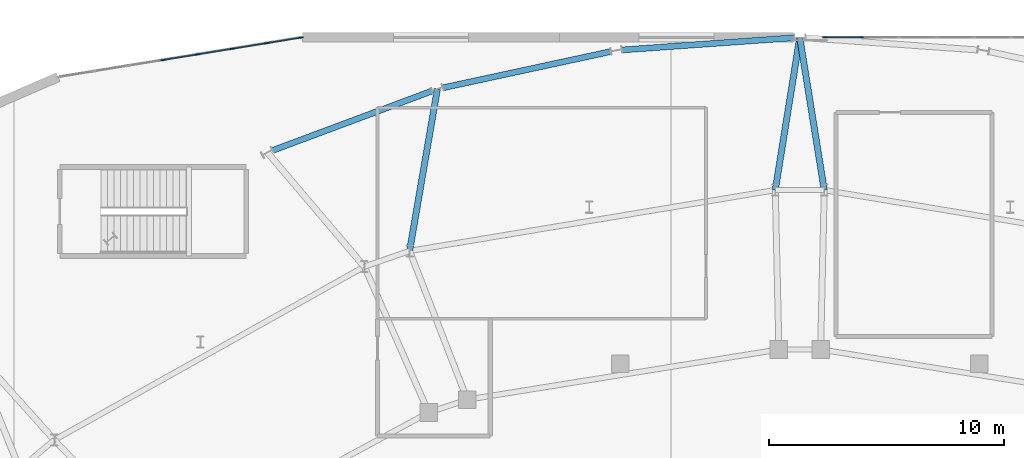
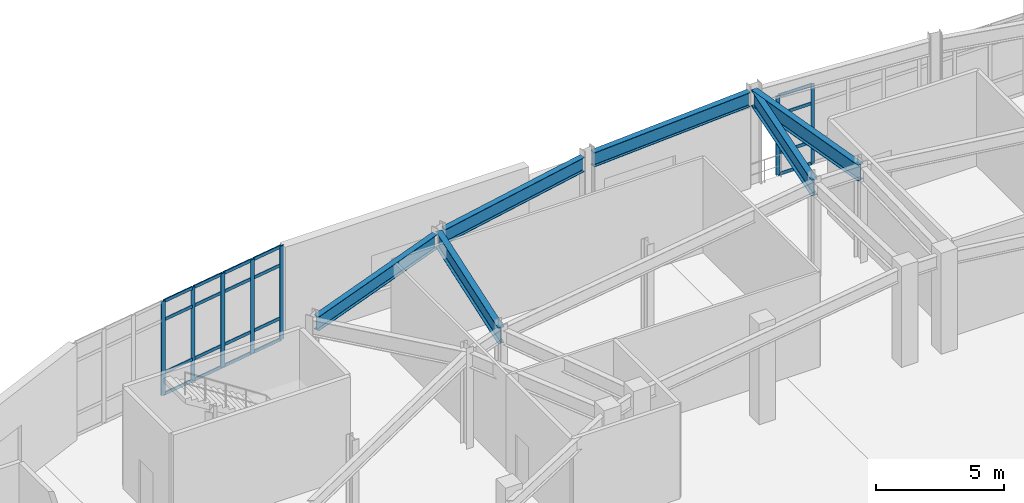
# One storey, part 44 of 86: 27 members, 6 beams, 2 elements without a shape of their own.
"""IFC4 building model written with IfcOpenShell, lengths in metres."""

from ifc_helpers import new_model, si_unit, direction, frame, origin, origin_2d, place, context, subcontext, project, spatial, rectangle, i_section, extrude, material, material_profile, profile_set, type_object, element, aggregate, save


model = new_model("IFC4")

# Units and contexts
model_context = context("Model", 3, precision=1e-05, world=origin(), true_north=direction((0.0, 1.0)))
body_context = subcontext(model_context, "Body", "Model", "MODEL_VIEW")
ifc_project = project(units=[si_unit("LENGTHUNIT", "METRE"), si_unit("AREAUNIT", "SQUARE_METRE"), si_unit("VOLUMEUNIT", "CUBIC_METRE"), si_unit("PLANEANGLEUNIT", "RADIAN"), si_unit("MASSUNIT", "GRAM", prefix="KILO")], contexts=[model_context])

# Site, building, storey
site_placement = place(None, origin())
site = spatial("IfcSite", under=ifc_project, at=site_placement, CompositionType="ELEMENT")
building_placement = place(site_placement, origin())
building = spatial("IfcBuilding", under=site, at=building_placement, Name="Glasvene Arena", CompositionType="ELEMENT")
storey_placement = place(building_placement, frame((0.0, 0.0, 5.39990234375)))
storey = spatial("IfcBuildingStorey", under=building, at=storey_placement, Name="L01", CompositionType="ELEMENT", Elevation=5.39990234375)

# Beams
ifc_material_1 = material(Name="Steel S355J2", Category="steel")
ifc_material_profile_1 = material_profile(ifc_material_1, i_section(OverallWidth=0.253662109375, OverallDepth=0.68359375, WebThickness=0.012451171875, FlangeThickness=0.01904296875, FilletRadius=0.01513671875, at=origin_2d()), Name="UKB 686x254x140")
ifc_profile_set_1 = profile_set([ifc_material_profile_1], Name="Steel S355J2")
beam_type_1 = type_object("IfcBeamType", Name="BM-GIRD-686", PredefinedType="BEAM", material=ifc_profile_set_1)
beam_1_placement = place(storey_placement, frame((91.760498046875, 117.98291015625, 4.178466796875), z_axis=(-0.997501616337, -0.070643650844, 0.0), x_axis=(0.070643650844, -0.997501616337, 0.0)))
element("IfcBeam", 1, at=beam_1_placement, inside=storey, type_object=beam_type_1, Name="Bowl ring chord beam L01-11", PredefinedType="BEAM", context=body_context, shape_type="SweptSolid", body=[
    extrude(i_section(OverallWidth=0.253662109375, OverallDepth=0.68359375, WebThickness=0.012451171875, FlangeThickness=0.01904296875, FilletRadius=0.01513671875, at=origin_2d()), origin(), (0.0, 0.0, 1.0), 7.361083984375),
])
beam_2_placement = place(storey_placement, frame((83.943603515625, 117.395263671875, 4.178466796875), z_axis=(-0.97744150895, -0.211206289161, 0.0), x_axis=(0.211206289161, -0.97744150895, 0.0)))
element("IfcBeam", 2, at=beam_2_placement, inside=storey, type_object=beam_type_1, Name="Bowl ring chord beam L01-12", PredefinedType="BEAM", context=body_context, shape_type="SweptSolid", body=[
    extrude(i_section(OverallWidth=0.253662109375, OverallDepth=0.68359375, WebThickness=0.012451171875, FlangeThickness=0.01904296875, FilletRadius=0.01513671875, at=origin_2d()), origin(), (0.0, 0.0, 1.0), 7.3251953125),
])
beam_3_placement = place(storey_placement, frame((76.32421875, 115.713623046875, 4.178466796875), z_axis=(-0.937013245498, -0.349293827259, 0.0), x_axis=(0.349293827259, -0.937013245498, 0.0)))
element("IfcBeam", 3, at=beam_3_placement, inside=storey, type_object=beam_type_1, Name="Bowl ring chord beam L01-13", PredefinedType="BEAM", context=body_context, shape_type="SweptSolid", body=[
    extrude(i_section(OverallWidth=0.253662109375, OverallDepth=0.68359375, WebThickness=0.012451171875, FlangeThickness=0.01904296875, FilletRadius=0.01513671875, at=origin_2d()), origin(), (0.0, 0.0, 1.0), 7.255859375),
])
ifc_material_profile_2 = material_profile(ifc_material_1, i_section(OverallWidth=0.2666015625, OverallDepth=0.76220703125, WebThickness=0.014404296875, FlangeThickness=0.021484375, FilletRadius=0.0166015625, at=origin_2d()), Name="UKB 762x267x173")
ifc_profile_set_2 = profile_set([ifc_material_profile_2], Name="Steel S355J2")
beam_type_2 = type_object("IfcBeamType", Name="BM-GIRD-762", PredefinedType="BEAM", material=ifc_profile_set_2)
for number, where, z_axis, x_axis, name in (
    (4, (93.043701171875, 111.489990234375, 4.138916015625), (-0.158300997848, 0.987390902369, 0.0), (-0.987390902369, -0.158300997848, 0.0), "Radial concourse girder L01-08"),
    (5, (90.956298828125, 111.489990234375, 4.138916015625), (0.158300997848, 0.987390902369, 0.0), (-0.987390902369, 0.158300997848, 0.0), "Radial concourse girder L01-09"),
):
    element("IfcBeam", number, at=place(storey_placement, frame(where, z_axis=z_axis, x_axis=x_axis)), inside=storey, type_object=beam_type_2, Name=name, PredefinedType="BEAM", context=body_context, shape_type="SweptSolid", body=[
        extrude(i_section(OverallWidth=0.2666015625, OverallDepth=0.76220703125, WebThickness=0.014404296875, FlangeThickness=0.021484375, FilletRadius=0.0166015625, at=origin_2d()), origin(), (0.0, 0.0, 1.0), 6.59326171875),
    ])
beam_4_placement = place(storey_placement, frame((75.365234375, 108.89453125, 4.138916015625), z_axis=(0.169060564867, 0.985605664253, 0.0), x_axis=(-0.985605664253, 0.169060564867, 0.0)))
element("IfcBeam", 6, at=beam_4_placement, inside=storey, type_object=beam_type_2, Name="Radial concourse girder L01-10", PredefinedType="BEAM", context=body_context, shape_type="SweptSolid", body=[
    extrude(i_section(OverallWidth=0.2666015625, OverallDepth=0.76220703125, WebThickness=0.014404296875, FlangeThickness=0.021484375, FilletRadius=0.0166015625, at=origin_2d()), origin(), (0.0, 0.0, 1.0), 7.00390625),
])

# Curtain wall, members
ifc_material_2 = material(Name="Low-emissivity laminated double glazing", Category="glass")
curtain_wall_type_1 = type_object("IfcCurtainWallType", Name="CW-FAC-L01-1116x377", PredefinedType="USERDEFINED", material=ifc_material_2)
curtain_wall_1_placement = place(storey_placement, frame((93.0400390625, 118.0, 0.0)))
curtain_wall_1 = element("IfcCurtainWall", 7, at=curtain_wall_1_placement, inside=storey, type_object=curtain_wall_type_1, Name="Unitised curtain wall CW-F-L01-150-986-1180-13", ObjectType="CURTAIN WALL", PredefinedType="USERDEFINED")
ifc_material_3 = material(Name="Anodised architectural aluminium", Category="aluminium")
ifc_material_profile_3 = material_profile(ifc_material_3, rectangle(XDim=0.050048828125, YDim=0.159912109375, at=origin_2d()), Name="ALU MULLION 50x160")
ifc_profile_set_3 = profile_set([ifc_material_profile_3], Name="Anodised architectural aluminium")
member_type_1 = type_object("IfcMemberType", Name="CW-MUL-150", PredefinedType="MULLION", material=ifc_profile_set_3)
member_1_placement = place(storey_placement, frame((93.06494140625, 118.0, 0.06005859375), z_axis=(0.0, 0.0, 1.0), x_axis=(0.0, 1.0, 0.0)))
member_1 = element("IfcMember", 8, at=member_1_placement, type_object=member_type_1, Name="CW-009 mullion 1", PredefinedType="MULLION", context=body_context, shape_type="SweptSolid", body=[
    extrude(rectangle(XDim=0.050048828125, YDim=0.159912109375, at=origin_2d()), origin(), (0.0, 0.0, 1.0), 3.77197265625),
])
member_2_placement = place(storey_placement, frame((94.63427734375, 118.0, 0.06005859375), z_axis=(0.0, 0.0, 1.0), x_axis=(0.0, 1.0, 0.0)))
member_2 = element("IfcMember", 9, at=member_2_placement, type_object=member_type_1, Name="CW-009 mullion 2", PredefinedType="MULLION", context=body_context, shape_type="SweptSolid", body=[
    extrude(rectangle(XDim=0.050048828125, YDim=0.159912109375, at=origin_2d()), origin(), (0.0, 0.0, 1.0), 3.77197265625),
])

curtain_wall_type_2 = type_object("IfcCurtainWallType", Name="CW-FAC-L01-1047x446", PredefinedType="USERDEFINED", material=ifc_material_2)
curtain_wall_2_placement = place(storey_placement, frame((60.42041015625, 116.314208984375, 0.0)))
curtain_wall_2 = element("IfcCurtainWall", 10, at=curtain_wall_2_placement, inside=storey, type_object=curtain_wall_type_2, Name="Unitised curtain wall CW-F-L01-180-656-1172-10", ObjectType="CURTAIN WALL", PredefinedType="USERDEFINED")
ifc_material_profile_4 = material_profile(ifc_material_3, rectangle(XDim=0.050048828125, YDim=0.199951171875, at=origin_2d()), Name="ALU MULLION 50x200")
ifc_profile_set_4 = profile_set([ifc_material_profile_4], Name="Anodised architectural aluminium")
member_type_2 = type_object("IfcMemberType", Name="CW-MUL-180", PredefinedType="MULLION", material=ifc_profile_set_4)
member_3_placement = place(storey_placement, frame((64.8505859375, 117.033935546875, 0.06005859375), z_axis=(0.0, 0.0, 1.0), x_axis=(-0.160367114184, 0.987057439407, 0.0)))
member_3 = element("IfcMember", 11, at=member_3_placement, type_object=member_type_2, Name="CW-008 mullion 4", PredefinedType="MULLION", context=body_context, shape_type="SweptSolid", body=[
    extrude(rectangle(XDim=0.050048828125, YDim=0.199951171875, at=origin_2d()), origin(), (0.0, 0.0, 1.0), 4.4599609375),
])
member_4_placement = place(storey_placement, frame((66.327392578125, 117.27392578125, 0.06005859375), z_axis=(0.0, 0.0, 1.0), x_axis=(-0.160367114184, 0.987057439407, 0.0)))
member_4 = element("IfcMember", 12, at=member_4_placement, type_object=member_type_2, Name="CW-008 mullion 5", PredefinedType="MULLION", context=body_context, shape_type="SweptSolid", body=[
    extrude(rectangle(XDim=0.050048828125, YDim=0.199951171875, at=origin_2d()), origin(), (0.0, 0.0, 1.0), 4.4599609375),
])
member_5_placement = place(storey_placement, frame((67.80419921875, 117.513671875, 0.06005859375), z_axis=(0.0, 0.0, 1.0), x_axis=(-0.160367114184, 0.987057439407, 0.0)))
member_5 = element("IfcMember", 13, at=member_5_placement, type_object=member_type_2, Name="CW-008 mullion 6", PredefinedType="MULLION", context=body_context, shape_type="SweptSolid", body=[
    extrude(rectangle(XDim=0.050048828125, YDim=0.199951171875, at=origin_2d()), origin(), (0.0, 0.0, 1.0), 4.4599609375),
])
member_6_placement = place(storey_placement, frame((69.28076171875, 117.753662109375, 0.06005859375), z_axis=(0.0, 0.0, 1.0), x_axis=(-0.160367114184, 0.987057439407, 0.0)))
member_6 = element("IfcMember", 14, at=member_6_placement, type_object=member_type_2, Name="CW-008 mullion 7", PredefinedType="MULLION", context=body_context, shape_type="SweptSolid", body=[
    extrude(rectangle(XDim=0.050048828125, YDim=0.199951171875, at=origin_2d()), origin(), (0.0, 0.0, 1.0), 4.4599609375),
])
member_7_placement = place(storey_placement, frame((70.73291015625, 117.989501953125, 0.06005859375), z_axis=(0.0, 0.0, 1.0), x_axis=(-0.160367114184, 0.987057439407, 0.0)))
member_7 = element("IfcMember", 15, at=member_7_placement, type_object=member_type_2, Name="CW-008 mullion 8", PredefinedType="MULLION", context=body_context, shape_type="SweptSolid", body=[
    extrude(rectangle(XDim=0.050048828125, YDim=0.199951171875, at=origin_2d()), origin(), (0.0, 0.0, 1.0), 4.4599609375),
])
ifc_material_profile_5 = material_profile(ifc_material_3, rectangle(XDim=0.050048828125, YDim=0.14990234375, at=origin_2d()), Name="ALU TRANSOM 50x150")
ifc_profile_set_5 = profile_set([ifc_material_profile_5], Name="Anodised architectural aluminium")
member_type_3 = type_object("IfcMemberType", Name="CW-TRN-150", PredefinedType="USERDEFINED", material=ifc_profile_set_5)
member_8_placement = place(storey_placement, frame((64.875244140625, 117.037841796875, 0.085205078125), z_axis=(0.987056409266, 0.160373454558, 0.0), x_axis=(-0.160373454558, 0.987056409266, 0.0)))
member_8 = element("IfcMember", 16, at=member_8_placement, type_object=member_type_3, Name="CW-008 transom 4.1", ObjectType="TRANSOM", PredefinedType="USERDEFINED", context=body_context, shape_type="SweptSolid", body=[
    extrude(rectangle(XDim=0.050048828125, YDim=0.14990234375, at=origin_2d()), origin(), (0.0, 0.0, 1.0), 1.4462890625),
])
member_9_placement = place(storey_placement, frame((64.875244140625, 117.037841796875, 1.10009765625), z_axis=(0.987056409266, 0.160373454558, 0.0), x_axis=(-0.160373454558, 0.987056409266, 0.0)))
member_9 = element("IfcMember", 17, at=member_9_placement, type_object=member_type_3, Name="CW-008 transom 4.2", ObjectType="TRANSOM", PredefinedType="USERDEFINED", context=body_context, shape_type="SweptSolid", body=[
    extrude(rectangle(XDim=0.050048828125, YDim=0.14990234375, at=origin_2d()), origin(), (0.0, 0.0, 1.0), 1.4462890625),
])
member_10_placement = place(storey_placement, frame((64.875244140625, 117.037841796875, 3.6201171875), z_axis=(0.987056409266, 0.160373454558, 0.0), x_axis=(-0.160373454558, 0.987056409266, 0.0)))
member_10 = element("IfcMember", 18, at=member_10_placement, type_object=member_type_3, Name="CW-008 transom 4.3", ObjectType="TRANSOM", PredefinedType="USERDEFINED", context=body_context, shape_type="SweptSolid", body=[
    extrude(rectangle(XDim=0.050048828125, YDim=0.14990234375, at=origin_2d()), origin(), (0.0, 0.0, 1.0), 1.4462890625),
])
member_11_placement = place(storey_placement, frame((64.875244140625, 117.037841796875, 4.4951171875), z_axis=(0.987056409266, 0.160373454558, 0.0), x_axis=(-0.160373454558, 0.987056409266, 0.0)))
member_11 = element("IfcMember", 19, at=member_11_placement, type_object=member_type_3, Name="CW-008 transom 4.4", ObjectType="TRANSOM", PredefinedType="USERDEFINED", context=body_context, shape_type="SweptSolid", body=[
    extrude(rectangle(XDim=0.050048828125, YDim=0.14990234375, at=origin_2d()), origin(), (0.0, 0.0, 1.0), 1.4462890625),
])
member_12_placement = place(storey_placement, frame((66.35205078125, 117.27783203125, 0.085205078125), z_axis=(0.98705206634, 0.160400181838, 0.0), x_axis=(-0.160400181838, 0.98705206634, 0.0)))
member_12 = element("IfcMember", 20, at=member_12_placement, type_object=member_type_3, Name="CW-008 transom 5.1", ObjectType="TRANSOM", PredefinedType="USERDEFINED", context=body_context, shape_type="SweptSolid", body=[
    extrude(rectangle(XDim=0.050048828125, YDim=0.14990234375, at=origin_2d()), origin(), (0.0, 0.0, 1.0), 1.446044921875),
])
member_13_placement = place(storey_placement, frame((66.35205078125, 117.27783203125, 1.10009765625), z_axis=(0.98705206634, 0.160400181838, 0.0), x_axis=(-0.160400181838, 0.98705206634, 0.0)))
member_13 = element("IfcMember", 21, at=member_13_placement, type_object=member_type_3, Name="CW-008 transom 5.2", ObjectType="TRANSOM", PredefinedType="USERDEFINED", context=body_context, shape_type="SweptSolid", body=[
    extrude(rectangle(XDim=0.050048828125, YDim=0.14990234375, at=origin_2d()), origin(), (0.0, 0.0, 1.0), 1.446044921875),
])
member_14_placement = place(storey_placement, frame((66.35205078125, 117.27783203125, 3.6201171875), z_axis=(0.98705206634, 0.160400181838, 0.0), x_axis=(-0.160400181838, 0.98705206634, 0.0)))
member_14 = element("IfcMember", 22, at=member_14_placement, type_object=member_type_3, Name="CW-008 transom 5.3", ObjectType="TRANSOM", PredefinedType="USERDEFINED", context=body_context, shape_type="SweptSolid", body=[
    extrude(rectangle(XDim=0.050048828125, YDim=0.14990234375, at=origin_2d()), origin(), (0.0, 0.0, 1.0), 1.446044921875),
])
member_15_placement = place(storey_placement, frame((66.35205078125, 117.27783203125, 4.4951171875), z_axis=(0.98705206634, 0.160400181838, 0.0), x_axis=(-0.160400181838, 0.98705206634, 0.0)))
member_15 = element("IfcMember", 23, at=member_15_placement, type_object=member_type_3, Name="CW-008 transom 5.4", ObjectType="TRANSOM", PredefinedType="USERDEFINED", context=body_context, shape_type="SweptSolid", body=[
    extrude(rectangle(XDim=0.050048828125, YDim=0.14990234375, at=origin_2d()), origin(), (0.0, 0.0, 1.0), 1.446044921875),
])
member_16_placement = place(storey_placement, frame((67.828857421875, 117.517822265625, 0.085205078125), z_axis=(0.98705206634, 0.160400181838, 0.0), x_axis=(-0.160400181838, 0.98705206634, 0.0)))
member_16 = element("IfcMember", 24, at=member_16_placement, type_object=member_type_3, Name="CW-008 transom 6.1", ObjectType="TRANSOM", PredefinedType="USERDEFINED", context=body_context, shape_type="SweptSolid", body=[
    extrude(rectangle(XDim=0.050048828125, YDim=0.14990234375, at=origin_2d()), origin(), (0.0, 0.0, 1.0), 1.446044921875),
])
member_17_placement = place(storey_placement, frame((67.828857421875, 117.517822265625, 1.10009765625), z_axis=(0.98705206634, 0.160400181838, 0.0), x_axis=(-0.160400181838, 0.98705206634, 0.0)))
member_17 = element("IfcMember", 25, at=member_17_placement, type_object=member_type_3, Name="CW-008 transom 6.2", ObjectType="TRANSOM", PredefinedType="USERDEFINED", context=body_context, shape_type="SweptSolid", body=[
    extrude(rectangle(XDim=0.050048828125, YDim=0.14990234375, at=origin_2d()), origin(), (0.0, 0.0, 1.0), 1.446044921875),
])
member_18_placement = place(storey_placement, frame((67.828857421875, 117.517822265625, 3.6201171875), z_axis=(0.98705206634, 0.160400181838, 0.0), x_axis=(-0.160400181838, 0.98705206634, 0.0)))
member_18 = element("IfcMember", 26, at=member_18_placement, type_object=member_type_3, Name="CW-008 transom 6.3", ObjectType="TRANSOM", PredefinedType="USERDEFINED", context=body_context, shape_type="SweptSolid", body=[
    extrude(rectangle(XDim=0.050048828125, YDim=0.14990234375, at=origin_2d()), origin(), (0.0, 0.0, 1.0), 1.446044921875),
])
member_19_placement = place(storey_placement, frame((67.828857421875, 117.517822265625, 4.4951171875), z_axis=(0.98705206634, 0.160400181838, 0.0), x_axis=(-0.160400181838, 0.98705206634, 0.0)))
member_19 = element("IfcMember", 27, at=member_19_placement, type_object=member_type_3, Name="CW-008 transom 6.4", ObjectType="TRANSOM", PredefinedType="USERDEFINED", context=body_context, shape_type="SweptSolid", body=[
    extrude(rectangle(XDim=0.050048828125, YDim=0.14990234375, at=origin_2d()), origin(), (0.0, 0.0, 1.0), 1.446044921875),
])
member_20_placement = place(storey_placement, frame((69.305419921875, 117.757568359375, 0.085205078125), z_axis=(0.987045254643, 0.160442093254, 0.0), x_axis=(-0.160442093254, 0.987045254643, 0.0)))
member_20 = element("IfcMember", 28, at=member_20_placement, type_object=member_type_3, Name="CW-008 transom 7.1", ObjectType="TRANSOM", PredefinedType="USERDEFINED", context=body_context, shape_type="SweptSolid", body=[
    extrude(rectangle(XDim=0.050048828125, YDim=0.14990234375, at=origin_2d()), origin(), (0.0, 0.0, 1.0), 1.421142578125),
])
member_21_placement = place(storey_placement, frame((69.305419921875, 117.757568359375, 1.10009765625), z_axis=(0.987045254643, 0.160442093254, 0.0), x_axis=(-0.160442093254, 0.987045254643, 0.0)))
member_21 = element("IfcMember", 29, at=member_21_placement, type_object=member_type_3, Name="CW-008 transom 7.2", ObjectType="TRANSOM", PredefinedType="USERDEFINED", context=body_context, shape_type="SweptSolid", body=[
    extrude(rectangle(XDim=0.050048828125, YDim=0.14990234375, at=origin_2d()), origin(), (0.0, 0.0, 1.0), 1.421142578125),
])
member_22_placement = place(storey_placement, frame((69.305419921875, 117.757568359375, 3.6201171875), z_axis=(0.987045254643, 0.160442093254, 0.0), x_axis=(-0.160442093254, 0.987045254643, 0.0)))
member_22 = element("IfcMember", 30, at=member_22_placement, type_object=member_type_3, Name="CW-008 transom 7.3", ObjectType="TRANSOM", PredefinedType="USERDEFINED", context=body_context, shape_type="SweptSolid", body=[
    extrude(rectangle(XDim=0.050048828125, YDim=0.14990234375, at=origin_2d()), origin(), (0.0, 0.0, 1.0), 1.421142578125),
])
member_23_placement = place(storey_placement, frame((69.305419921875, 117.757568359375, 4.4951171875), z_axis=(0.987045254643, 0.160442093254, 0.0), x_axis=(-0.160442093254, 0.987045254643, 0.0)))
member_23 = element("IfcMember", 31, at=member_23_placement, type_object=member_type_3, Name="CW-008 transom 7.4", ObjectType="TRANSOM", PredefinedType="USERDEFINED", context=body_context, shape_type="SweptSolid", body=[
    extrude(rectangle(XDim=0.050048828125, YDim=0.14990234375, at=origin_2d()), origin(), (0.0, 0.0, 1.0), 1.421142578125),
])
aggregate(curtain_wall_2, [member_3, member_4, member_5, member_6, member_7, member_8, member_9, member_10, member_11, member_12, member_13, member_14, member_15, member_16, member_17, member_18, member_19, member_20, member_21, member_22, member_23])

# Member
member_24_placement = place(storey_placement, frame((93.090087890625, 118.0, 0.085205078125), z_axis=(1.0, 0.0, 0.0), x_axis=(0.0, 1.0, 0.0)))
member_24 = element("IfcMember", 32, at=member_24_placement, type_object=member_type_3, Name="CW-009 transom 1.1", ObjectType="TRANSOM", PredefinedType="USERDEFINED", context=body_context, shape_type="SweptSolid", body=[
    extrude(rectangle(XDim=0.050048828125, YDim=0.14990234375, at=origin_2d()), origin(), (0.0, 0.0, 1.0), 1.519287109375),
])

member_25_placement = place(storey_placement, frame((93.090087890625, 118.0, 1.10009765625), z_axis=(1.0, 0.0, 0.0), x_axis=(0.0, 1.0, 0.0)))
member_25 = element("IfcMember", 33, at=member_25_placement, type_object=member_type_3, Name="CW-009 transom 1.2", ObjectType="TRANSOM", PredefinedType="USERDEFINED", context=body_context, shape_type="SweptSolid", body=[
    extrude(rectangle(XDim=0.050048828125, YDim=0.14990234375, at=origin_2d()), origin(), (0.0, 0.0, 1.0), 1.519287109375),
])

member_26_placement = place(storey_placement, frame((93.090087890625, 118.0, 2.93212890625), z_axis=(1.0, 0.0, 0.0), x_axis=(0.0, 1.0, 0.0)))
member_26 = element("IfcMember", 34, at=member_26_placement, type_object=member_type_3, Name="CW-009 transom 1.3", ObjectType="TRANSOM", PredefinedType="USERDEFINED", context=body_context, shape_type="SweptSolid", body=[
    extrude(rectangle(XDim=0.050048828125, YDim=0.14990234375, at=origin_2d()), origin(), (0.0, 0.0, 1.0), 1.519287109375),
])

member_27_placement = place(storey_placement, frame((93.090087890625, 118.0, 3.80712890625), z_axis=(1.0, 0.0, 0.0), x_axis=(0.0, 1.0, 0.0)))
member_27 = element("IfcMember", 35, at=member_27_placement, type_object=member_type_3, Name="CW-009 transom 1.4", ObjectType="TRANSOM", PredefinedType="USERDEFINED", context=body_context, shape_type="SweptSolid", body=[
    extrude(rectangle(XDim=0.050048828125, YDim=0.14990234375, at=origin_2d()), origin(), (0.0, 0.0, 1.0), 1.519287109375),
])

aggregate(curtain_wall_1, [member_1, member_2, member_24, member_25, member_26, member_27])

save(model, "model.ifc")
